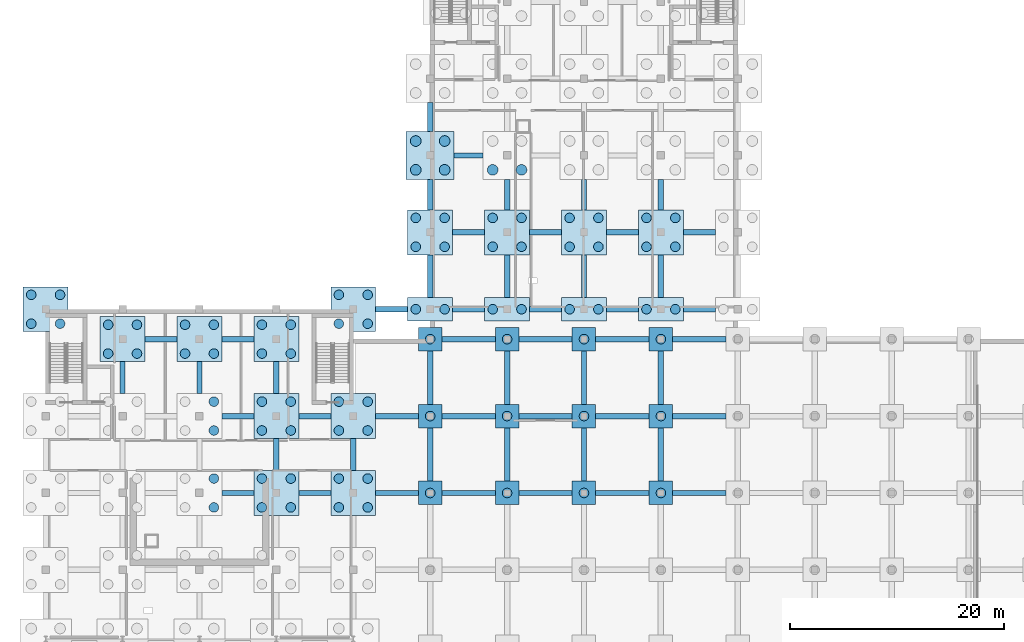
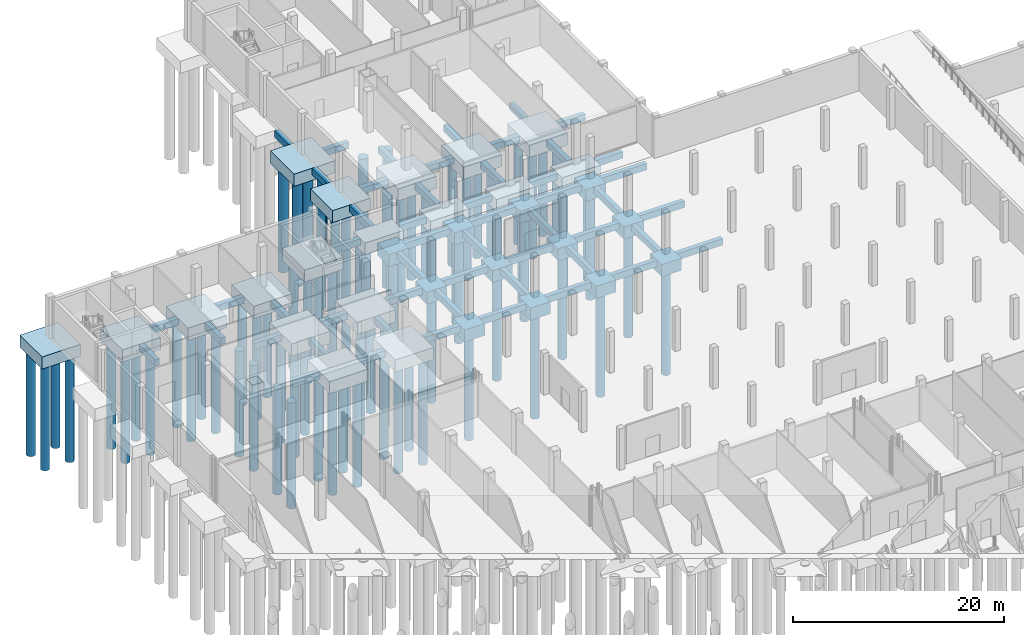
# One storey, part 6 of 35: 82 footings, 82 piles.
"""IFC4 building model written with IfcOpenShell, lengths in metres."""

import ifcopenshell
import ifcopenshell.guid

model = None  # the IFC model being written
_history = None  # IfcOwnerHistory: only IFC2X3 demands one
_inside = {}  # id of a spatial element -> (the spatial element, [elements in it])
_under = {}  # id of a project, library or spatial element -> (it, [spatial elements below it])
_declared = {}  # id of a project -> (the project, [libraries it declares])
_typed = {}  # id of a type object -> (the type object, [elements of that type])
_made_of = {}  # id of a material, layer set ... -> (it, [elements and type objects made of it])


def new_model(schema):
    """Start an empty IFC model of exactly this schema.

    Asked for "IFC4X3", IfcOpenShell would pick the latest addendum, in which some entities
    have other attributes; the version numbers below select the first issue.
    IFC2X3 requires an IfcOwnerHistory on every rooted entity: one is made here for all.
    """
    global model, _history
    if schema == "IFC4X3":
        model = ifcopenshell.file(schema_version=(4, 3, 0, 0))
    else:
        model = ifcopenshell.file(schema=schema)
    _inside.clear()
    _under.clear()
    _declared.clear()
    _typed.clear()
    _made_of.clear()
    _history = None
    if model.schema == "IFC2X3":
        org = make("IfcOrganization", Name="unknown")
        user = make(
            "IfcPersonAndOrganization",
            ThePerson=make("IfcPerson", FamilyName="unknown"),
            TheOrganization=org,
        )
        app = make(
            "IfcApplication",
            ApplicationDeveloper=org,
            Version="unknown",
            ApplicationFullName="unknown",
            ApplicationIdentifier="unknown",
        )
        _history = make(
            "IfcOwnerHistory",
            OwningUser=user,
            OwningApplication=app,
            ChangeAction="ADDED",
            CreationDate=0,
        )
    return model


def make(cls, **values):
    """One entity of the class cls with the attributes given. An attribute that is None is left unset."""
    return model.create_entity(
        cls, **{name: value for name, value in values.items() if value is not None}
    )


def rooted(cls, **values):
    """An entity with a GlobalId (a new one), such as an element, a storey or a relation."""
    return make(cls, GlobalId=ifcopenshell.guid.new(), OwnerHistory=_history, **values)


def si_unit(unit_type, name, prefix=None):
    """IfcSIUnit, for example si_unit("LENGTHUNIT", "METRE", prefix="MILLI")."""
    return make("IfcSIUnit", UnitType=unit_type, Prefix=prefix, Name=name)


def assignment(units):
    """IfcUnitAssignment: the units of a project."""
    return None if units is None else make("IfcUnitAssignment", Units=units)


def point(xyz):
    """IfcCartesianPoint."""
    return None if xyz is None else make("IfcCartesianPoint", Coordinates=xyz)


def direction(xyz):
    """IfcDirection."""
    return None if xyz is None else make("IfcDirection", DirectionRatios=xyz)


def frame(location, z_axis=None, x_axis=None):
    """IfcAxis2Placement3D, a coordinate frame: its origin and axes. An axis left out is left unset."""
    return make(
        "IfcAxis2Placement3D",
        Location=point(location),
        Axis=direction(z_axis),
        RefDirection=direction(x_axis),
    )


def frame_2d(location, x_axis=None):
    """IfcAxis2Placement2D, a coordinate frame in the plane: its origin and x axis."""
    return make(
        "IfcAxis2Placement2D", Location=point(location), RefDirection=direction(x_axis)
    )


def origin():
    """The frame at (0, 0, 0) with its axes left unset."""
    return frame((0.0, 0.0, 0.0))


def origin_2d():
    """The frame at (0, 0) in the plane with its x axis left unset."""
    return frame_2d((0.0, 0.0))


def place(relative_to, where):
    """IfcLocalPlacement: puts the frame where relative to a parent placement (None: the world)."""
    return make(
        "IfcLocalPlacement", PlacementRelTo=relative_to, RelativePlacement=where
    )


def context(
    kind, dimensions, precision=None, world=None, true_north=None, identifier=None
):
    """IfcGeometricRepresentationContext, for example the 3D "Model" context."""
    return make(
        "IfcGeometricRepresentationContext",
        ContextIdentifier=identifier,
        ContextType=kind,
        CoordinateSpaceDimension=dimensions,
        Precision=precision,
        WorldCoordinateSystem=world,
        TrueNorth=true_north,
    )


def subcontext(parent, identifier, kind, view, scale=None):
    """IfcGeometricRepresentationSubContext, for example "Body" below "Model"."""
    return make(
        "IfcGeometricRepresentationSubContext",
        ContextIdentifier=identifier,
        ContextType=kind,
        ParentContext=parent,
        TargetScale=scale,
        TargetView=view,
    )


def project(units=None, contexts=None):
    """IfcProject with its units and contexts."""
    return rooted(
        "IfcProject",
        Name="project",
        RepresentationContexts=contexts,
        UnitsInContext=assignment(units),
    )


def spatial(cls, under=None, at=None, **own):
    """A site, building, storey or space (cls), placed at a placement, below another one or the project."""
    s = rooted(cls, ObjectPlacement=at, **own)
    if under is not None:
        _under.setdefault(under.id(), (under, []))[1].append(s)
    return s


def profile(cls, at=None, kind="AREA", **sizes):
    """A parametric profile (cls). Its sizes go by their IFC names, for example OverallWidth=200.0."""
    return make(cls, ProfileType=kind, Position=at, **sizes)


def rectangle(**sizes):
    """IfcRectangleProfileDef."""
    return profile("IfcRectangleProfileDef", **sizes)


def circle(**sizes):
    """IfcCircleProfileDef."""
    return profile("IfcCircleProfileDef", **sizes)


def extrude(swept, where, along, depth):
    """IfcExtrudedAreaSolid: the profile swept, set in the frame where, extruded along a direction by depth."""
    return make(
        "IfcExtrudedAreaSolid",
        SweptArea=swept,
        Position=where,
        ExtrudedDirection=direction(along),
        Depth=depth,
    )


def shape(context_of_items, identifier, shape_type, items):
    """IfcShapeRepresentation: the items that make up one representation, for example the "Body"."""
    return make(
        "IfcShapeRepresentation",
        ContextOfItems=context_of_items,
        RepresentationIdentifier=identifier,
        RepresentationType=shape_type,
        Items=items,
    )


def material(Name=None, Category=None):
    """IfcMaterial."""
    return make("IfcMaterial", Name=Name, Category=Category)


def material_profile(
    of_material, cross_section, Name=None, Category=None, Priority=None
):
    """IfcMaterialProfile: a cross section and its material."""
    return make(
        "IfcMaterialProfile",
        Name=Name,
        Material=of_material,
        Profile=cross_section,
        Priority=Priority,
        Category=Category,
    )


def profile_set(profiles, Name=None, composite=None):
    """IfcMaterialProfileSet."""
    return make(
        "IfcMaterialProfileSet",
        Name=Name,
        MaterialProfiles=profiles,
        CompositeProfile=composite,
    )


def made_of(thing, what):
    """Note that an element or type object is made of a material, layer set ...; save() writes the relation."""
    if what is not None:
        _made_of.setdefault(what.id(), (what, []))[1].append(thing)
    return thing


def type_object(cls, material=None, **own):
    """A type object (cls), such as IfcWallType, which elements share."""
    return made_of(rooted(cls, **own), material)


def element(
    cls,
    number,
    at=None,
    inside=None,
    cuts=None,
    type_object=None,
    material=None,
    context=None,
    identifier="Body",
    shape_type=None,
    held_by="IfcProductDefinitionShape",
    body=None,
    shapes=None,
    **own,
):
    """One element of the class cls, such as IfcWall. Its Tag is "e" and its number.

    at: its placement. inside: the storey or other place that contains it. cuts: it is an
    opening in that element (IfcRelVoidsElement). A single representation is given by context,
    identifier, shape_type and body (its items); several are given by shapes. held_by: the class
    of the entity that holds the representations. save() writes the other relations.
    """
    e = rooted(cls, Tag="e%d" % number, ObjectPlacement=at, **own)
    if body is not None:
        shapes = [shape(context, identifier, shape_type, body)]
    if shapes is not None:
        e.Representation = make(held_by, Representations=shapes)
    if inside is not None:
        _inside.setdefault(inside.id(), (inside, []))[1].append(e)
    if cuts is not None:
        rooted(
            "IfcRelVoidsElement", RelatingBuildingElement=cuts, RelatedOpeningElement=e
        )
    if type_object is not None:
        _typed.setdefault(type_object.id(), (type_object, []))[1].append(e)
    return made_of(e, material)


def aggregate(whole, parts):
    """IfcRelAggregates: a whole, such as a stair, and the parts it consists of."""
    return rooted("IfcRelAggregates", RelatingObject=whole, RelatedObjects=parts)


def save(model, path):
    """Write the relations noted so far, then the file.

    IfcRelAggregates (storeys below a building ...), IfcRelContainedInSpatialStructure (elements
    in a storey), IfcRelDefinesByType, IfcRelAssociatesMaterial and IfcRelDeclares: one each for
    every whole, place, type object, material and project.
    """
    for whole, parts in _under.values():
        aggregate(whole, parts)
    for where, things in _inside.values():
        rooted(
            "IfcRelContainedInSpatialStructure",
            RelatedElements=things,
            RelatingStructure=where,
        )
    for kind, things in _typed.values():
        rooted("IfcRelDefinesByType", RelatedObjects=things, RelatingType=kind)
    for what, things in _made_of.values():
        rooted("IfcRelAssociatesMaterial", RelatedObjects=things, RelatingMaterial=what)
    for by, libraries in _declared.values():
        rooted("IfcRelDeclares", RelatingContext=by, RelatedDefinitions=libraries)
    model.write(path)


model = new_model("IFC4")

# Units and contexts
model_context = context("Model", 3, precision=1e-05, world=origin(), true_north=direction((0.0, 1.0)))
body_context = subcontext(model_context, "Body", "Model", "MODEL_VIEW")
ifc_project = project(units=[si_unit("LENGTHUNIT", "METRE"), si_unit("AREAUNIT", "SQUARE_METRE"), si_unit("VOLUMEUNIT", "CUBIC_METRE"), si_unit("PLANEANGLEUNIT", "RADIAN"), si_unit("MASSUNIT", "GRAM", prefix="KILO")], contexts=[model_context])

# Site, building, storey
site_placement = place(None, origin())
site = spatial("IfcSite", under=ifc_project, at=site_placement, CompositionType="ELEMENT")
building_placement = place(site_placement, origin())
building = spatial("IfcBuilding", under=site, at=building_placement, Name="Zarrinpeak Specialist Clinic", CompositionType="ELEMENT")
storey_placement = place(building_placement, frame((0.0, 0.0, -4.800048828125)))
storey = spatial("IfcBuildingStorey", under=building, at=storey_placement, Name="B01", CompositionType="ELEMENT", Elevation=-4.800048828125)

# Footings
ifc_material = material(Name="Concrete C40/50", Category="concrete")
ifc_material_profile_1 = material_profile(ifc_material, rectangle(XDim=0.5, YDim=0.75, at=origin_2d()), Name="RC 500x750")
ifc_profile_set_1 = profile_set([ifc_material_profile_1], Name="Concrete C40/50")
footing_type_1 = type_object("IfcFootingType", Name="FT-GB1", PredefinedType="FOOTING_BEAM", material=ifc_profile_set_1)
for number, where, z_axis, x_axis, name in (
    (1, (16.5, 64.800048828125, -0.77490234375), (1.0, 0.0, 0.0), (0.0, 1.0, 0.0), "Continuous Ground Tie Beam GB-144"),
    (2, (23.699951171875, 64.800048828125, -0.77490234375), (1.0, 0.0, 0.0), (0.0, 1.0, 0.0), "Continuous Ground Tie Beam GB-145"),
):
    element("IfcFooting", number, at=place(storey_placement, frame(where, z_axis=z_axis, x_axis=x_axis)), inside=storey, type_object=footing_type_1, Name=name, PredefinedType="FOOTING_BEAM", context=body_context, shape_type="SweptSolid", body=[
        extrude(rectangle(XDim=0.5, YDim=0.75, at=origin_2d()), origin(), (0.0, 0.0, 1.0), 3.0),
    ])
footing_1_placement = place(storey_placement, frame((30.89990234375, 64.800048828125, -0.77490234375), z_axis=(1.0, 0.0, 0.0), x_axis=(0.0, 1.0, 0.0)))
element("IfcFooting", 3, at=footing_1_placement, inside=storey, type_object=footing_type_1, Name="Continuous Ground Tie Beam GB-146", PredefinedType="FOOTING_BEAM", context=body_context, shape_type="SweptSolid", body=[
    extrude(rectangle(XDim=0.5, YDim=0.75, at=origin_2d()), origin(), (0.0, 0.0, 1.0), 4.0),
])
for number, where, z_axis, x_axis, name in (
    (4, (37.10009765625, 64.800048828125, -0.77490234375), (1.0, 0.0, 0.0), (0.0, 1.0, 0.0), "Continuous Ground Tie Beam GB-147"),
    (5, (44.300048828125, 64.800048828125, -0.77490234375), (1.0, 0.0, 0.0), (0.0, 1.0, 0.0), "Continuous Ground Tie Beam GB-148"),
    (6, (51.5, 64.800048828125, -0.77490234375), (1.0, 0.0, 0.0), (0.0, 1.0, 0.0), "Continuous Ground Tie Beam GB-149"),
    (7, (58.699951171875, 64.800048828125, -0.77490234375), (1.0, 0.0, 0.0), (0.0, 1.0, 0.0), "Continuous Ground Tie Beam GB-150"),
):
    element("IfcFooting", number, at=place(storey_placement, frame(where, z_axis=z_axis, x_axis=x_axis)), inside=storey, type_object=footing_type_1, Name=name, PredefinedType="FOOTING_BEAM", context=body_context, shape_type="SweptSolid", body=[
        extrude(rectangle(XDim=0.5, YDim=0.75, at=origin_2d()), origin(), (0.0, 0.0, 1.0), 5.0),
    ])
for number, where, z_axis, x_axis, name in (
    (8, (16.5, 72.0, -0.77490234375), (1.0, 0.0, 0.0), (0.0, 1.0, 0.0), "Continuous Ground Tie Beam GB-161"),
    (9, (23.699951171875, 72.0, -0.77490234375), (1.0, 0.0, 0.0), (0.0, 1.0, 0.0), "Continuous Ground Tie Beam GB-162"),
):
    element("IfcFooting", number, at=place(storey_placement, frame(where, z_axis=z_axis, x_axis=x_axis)), inside=storey, type_object=footing_type_1, Name=name, PredefinedType="FOOTING_BEAM", context=body_context, shape_type="SweptSolid", body=[
        extrude(rectangle(XDim=0.5, YDim=0.75, at=origin_2d()), origin(), (0.0, 0.0, 1.0), 3.0),
    ])
footing_2_placement = place(storey_placement, frame((30.89990234375, 72.0, -0.77490234375), z_axis=(1.0, 0.0, 0.0), x_axis=(0.0, 1.0, 0.0)))
element("IfcFooting", 10, at=footing_2_placement, inside=storey, type_object=footing_type_1, Name="Continuous Ground Tie Beam GB-163", PredefinedType="FOOTING_BEAM", context=body_context, shape_type="SweptSolid", body=[
    extrude(rectangle(XDim=0.5, YDim=0.75, at=origin_2d()), origin(), (0.0, 0.0, 1.0), 4.0),
])
for number, where, z_axis, x_axis, name in (
    (11, (37.10009765625, 72.0, -0.77490234375), (1.0, 0.0, 0.0), (0.0, 1.0, 0.0), "Continuous Ground Tie Beam GB-164"),
    (12, (44.300048828125, 72.0, -0.77490234375), (1.0, 0.0, 0.0), (0.0, 1.0, 0.0), "Continuous Ground Tie Beam GB-165"),
    (13, (51.5, 72.0, -0.77490234375), (1.0, 0.0, 0.0), (0.0, 1.0, 0.0), "Continuous Ground Tie Beam GB-166"),
    (14, (58.699951171875, 72.0, -0.77490234375), (1.0, 0.0, 0.0), (0.0, 1.0, 0.0), "Continuous Ground Tie Beam GB-167"),
):
    element("IfcFooting", number, at=place(storey_placement, frame(where, z_axis=z_axis, x_axis=x_axis)), inside=storey, type_object=footing_type_1, Name=name, PredefinedType="FOOTING_BEAM", context=body_context, shape_type="SweptSolid", body=[
        extrude(rectangle(XDim=0.5, YDim=0.75, at=origin_2d()), origin(), (0.0, 0.0, 1.0), 5.0),
    ])
for number, where, z_axis, x_axis, name in (
    (15, (9.300048828125, 79.199951171875, -0.77490234375), (1.0, 0.0, 0.0), (0.0, 1.0, 0.0), "Continuous Ground Tie Beam GB-176"),
    (16, (16.5, 79.199951171875, -0.77490234375), (1.0, 0.0, 0.0), (0.0, 1.0, 0.0), "Continuous Ground Tie Beam GB-177"),
):
    element("IfcFooting", number, at=place(storey_placement, frame(where, z_axis=z_axis, x_axis=x_axis)), inside=storey, type_object=footing_type_1, Name=name, PredefinedType="FOOTING_BEAM", context=body_context, shape_type="SweptSolid", body=[
        extrude(rectangle(XDim=0.5, YDim=0.75, at=origin_2d()), origin(), (0.0, 0.0, 1.0), 3.0),
    ])
for number, where, z_axis, x_axis, name in (
    (17, (37.10009765625, 79.199951171875, -0.77490234375), (1.0, 0.0, 0.0), (0.0, 1.0, 0.0), "Continuous Ground Tie Beam GB-178"),
    (18, (44.300048828125, 79.199951171875, -0.77490234375), (1.0, 0.0, 0.0), (0.0, 1.0, 0.0), "Continuous Ground Tie Beam GB-179"),
    (19, (51.5, 79.199951171875, -0.77490234375), (1.0, 0.0, 0.0), (0.0, 1.0, 0.0), "Continuous Ground Tie Beam GB-180"),
    (20, (58.699951171875, 79.199951171875, -0.77490234375), (1.0, 0.0, 0.0), (0.0, 1.0, 0.0), "Continuous Ground Tie Beam GB-181"),
):
    element("IfcFooting", number, at=place(storey_placement, frame(where, z_axis=z_axis, x_axis=x_axis)), inside=storey, type_object=footing_type_1, Name=name, PredefinedType="FOOTING_BEAM", context=body_context, shape_type="SweptSolid", body=[
        extrude(rectangle(XDim=0.5, YDim=0.75, at=origin_2d()), origin(), (0.0, 0.0, 1.0), 5.0),
    ])
for number, where, z_axis, x_axis, name in (
    (21, (30.89990234375, 82.0, -0.77490234375), (1.0, 0.0, 0.0), (0.0, 1.0, 0.0), "Continuous Ground Tie Beam GB-185"),
    (22, (38.10009765625, 82.0, -0.77490234375), (1.0, 0.0, 0.0), (0.0, 1.0, 0.0), "Continuous Ground Tie Beam GB-186"),
    (23, (45.300048828125, 82.0, -0.77490234375), (1.0, 0.0, 0.0), (0.0, 1.0, 0.0), "Continuous Ground Tie Beam GB-187"),
    (24, (52.5, 82.0, -0.77490234375), (1.0, 0.0, 0.0), (0.0, 1.0, 0.0), "Continuous Ground Tie Beam GB-188"),
    (25, (59.699951171875, 82.0, -0.77490234375), (1.0, 0.0, 0.0), (0.0, 1.0, 0.0), "Continuous Ground Tie Beam GB-189"),
    (26, (38.10009765625, 89.199951171875, -0.77490234375), (1.0, 0.0, 0.0), (0.0, 1.0, 0.0), "Continuous Ground Tie Beam GB-190"),
    (27, (45.300048828125, 89.199951171875, -0.77490234375), (1.0, 0.0, 0.0), (0.0, 1.0, 0.0), "Continuous Ground Tie Beam GB-191"),
    (28, (52.5, 89.199951171875, -0.77490234375), (1.0, 0.0, 0.0), (0.0, 1.0, 0.0), "Continuous Ground Tie Beam GB-192"),
    (29, (59.699951171875, 89.199951171875, -0.77490234375), (1.0, 0.0, 0.0), (0.0, 1.0, 0.0), "Continuous Ground Tie Beam GB-193"),
):
    element("IfcFooting", number, at=place(storey_placement, frame(where, z_axis=z_axis, x_axis=x_axis)), inside=storey, type_object=footing_type_1, Name=name, PredefinedType="FOOTING_BEAM", context=body_context, shape_type="SweptSolid", body=[
        extrude(rectangle(XDim=0.5, YDim=0.75, at=origin_2d()), origin(), (0.0, 0.0, 1.0), 3.0),
    ])
footing_3_placement = place(storey_placement, frame((38.25, 96.39990234375, -0.77490234375), z_axis=(1.0, 0.0, 0.0), x_axis=(0.0, 1.0, 0.0)))
element("IfcFooting", 30, at=footing_3_placement, inside=storey, type_object=footing_type_1, Name="Continuous Ground Tie Beam GB-194", PredefinedType="FOOTING_BEAM", context=body_context, shape_type="SweptSolid", body=[
    extrude(rectangle(XDim=0.5, YDim=0.75, at=origin_2d()), origin(), (0.0, 0.0, 1.0), 2.699951171875),
])
for number, where, z_axis, x_axis, name in (
    (31, (7.199951171875, 74.10009765625, -0.77490234375), (0.0, 1.0, 0.0), (-1.0, 0.0, 0.0), "Continuous Ground Tie Beam GB-225"),
    (32, (14.39990234375, 74.10009765625, -0.77490234375), (0.0, 1.0, 0.0), (-1.0, 0.0, 0.0), "Continuous Ground Tie Beam GB-236"),
    (33, (21.60009765625, 66.89990234375, -0.77490234375), (0.0, 1.0, 0.0), (-1.0, 0.0, 0.0), "Continuous Ground Tie Beam GB-246"),
    (34, (21.60009765625, 74.10009765625, -0.77490234375), (0.0, 1.0, 0.0), (-1.0, 0.0, 0.0), "Continuous Ground Tie Beam GB-247"),
    (35, (28.800048828125, 66.89990234375, -0.77490234375), (0.0, 1.0, 0.0), (-1.0, 0.0, 0.0), "Continuous Ground Tie Beam GB-252"),
):
    element("IfcFooting", number, at=place(storey_placement, frame(where, z_axis=z_axis, x_axis=x_axis)), inside=storey, type_object=footing_type_1, Name=name, PredefinedType="FOOTING_BEAM", context=body_context, shape_type="SweptSolid", body=[
        extrude(rectangle(XDim=0.5, YDim=0.75, at=origin_2d()), origin(), (0.0, 0.0, 1.0), 3.0),
    ])
for number, where, z_axis, x_axis, name in (
    (36, (36.0, 65.89990234375, -0.77490234375), (0.0, 1.0, 0.0), (-1.0, 0.0, 0.0), "Continuous Ground Tie Beam GB-263"),
    (37, (36.0, 73.10009765625, -0.77490234375), (0.0, 1.0, 0.0), (-1.0, 0.0, 0.0), "Continuous Ground Tie Beam GB-264"),
):
    element("IfcFooting", number, at=place(storey_placement, frame(where, z_axis=z_axis, x_axis=x_axis)), inside=storey, type_object=footing_type_1, Name=name, PredefinedType="FOOTING_BEAM", context=body_context, shape_type="SweptSolid", body=[
        extrude(rectangle(XDim=0.5, YDim=0.75, at=origin_2d()), origin(), (0.0, 0.0, 1.0), 5.0),
    ])
footing_4_placement = place(storey_placement, frame((36.0, 83.10009765625, -0.77490234375), z_axis=(0.0, 1.0, 0.0), x_axis=(-1.0, 0.0, 0.0)))
element("IfcFooting", 38, at=footing_4_placement, inside=storey, type_object=footing_type_1, Name="Continuous Ground Tie Beam GB-265", PredefinedType="FOOTING_BEAM", context=body_context, shape_type="SweptSolid", body=[
    extrude(rectangle(XDim=0.5, YDim=0.75, at=origin_2d()), origin(), (0.0, 0.0, 1.0), 4.0),
])
footing_5_placement = place(storey_placement, frame((36.0, 91.300048828125, -0.77490234375), z_axis=(0.0, 1.0, 0.0), x_axis=(-1.0, 0.0, 0.0)))
element("IfcFooting", 39, at=footing_5_placement, inside=storey, type_object=footing_type_1, Name="Continuous Ground Tie Beam GB-266", PredefinedType="FOOTING_BEAM", context=body_context, shape_type="SweptSolid", body=[
    extrude(rectangle(XDim=0.5, YDim=0.75, at=origin_2d()), origin(), (0.0, 0.0, 1.0), 2.849853515625),
])
footing_6_placement = place(storey_placement, frame((36.0, 98.64990234375, -0.77490234375), z_axis=(0.0, 1.0, 0.0), x_axis=(-1.0, 0.0, 0.0)))
element("IfcFooting", 40, at=footing_6_placement, inside=storey, type_object=footing_type_1, Name="Continuous Ground Tie Beam GB-267", PredefinedType="FOOTING_BEAM", context=body_context, shape_type="SweptSolid", body=[
    extrude(rectangle(XDim=0.5, YDim=0.75, at=origin_2d()), origin(), (0.0, 0.0, 1.0), 2.7001953125),
])
for number, where, z_axis, x_axis, name in (
    (41, (43.199951171875, 65.89990234375, -0.77490234375), (0.0, 1.0, 0.0), (-1.0, 0.0, 0.0), "Continuous Ground Tie Beam GB-277"),
    (42, (43.199951171875, 73.10009765625, -0.77490234375), (0.0, 1.0, 0.0), (-1.0, 0.0, 0.0), "Continuous Ground Tie Beam GB-278"),
):
    element("IfcFooting", number, at=place(storey_placement, frame(where, z_axis=z_axis, x_axis=x_axis)), inside=storey, type_object=footing_type_1, Name=name, PredefinedType="FOOTING_BEAM", context=body_context, shape_type="SweptSolid", body=[
        extrude(rectangle(XDim=0.5, YDim=0.75, at=origin_2d()), origin(), (0.0, 0.0, 1.0), 5.0),
    ])
footing_7_placement = place(storey_placement, frame((43.199951171875, 83.10009765625, -0.77490234375), z_axis=(0.0, 1.0, 0.0), x_axis=(-1.0, 0.0, 0.0)))
element("IfcFooting", 43, at=footing_7_placement, inside=storey, type_object=footing_type_1, Name="Continuous Ground Tie Beam GB-279", PredefinedType="FOOTING_BEAM", context=body_context, shape_type="SweptSolid", body=[
    extrude(rectangle(XDim=0.5, YDim=0.75, at=origin_2d()), origin(), (0.0, 0.0, 1.0), 4.0),
])
footing_8_placement = place(storey_placement, frame((43.199951171875, 91.300048828125, -0.77490234375), z_axis=(0.0, 1.0, 0.0), x_axis=(-1.0, 0.0, 0.0)))
element("IfcFooting", 44, at=footing_8_placement, inside=storey, type_object=footing_type_1, Name="Continuous Ground Tie Beam GB-280", PredefinedType="FOOTING_BEAM", context=body_context, shape_type="SweptSolid", body=[
    extrude(rectangle(XDim=0.5, YDim=0.75, at=origin_2d()), origin(), (0.0, 0.0, 1.0), 2.849853515625),
])
for number, where, z_axis, x_axis, name in (
    (45, (50.39990234375, 65.89990234375, -0.77490234375), (0.0, 1.0, 0.0), (-1.0, 0.0, 0.0), "Continuous Ground Tie Beam GB-293"),
    (46, (50.39990234375, 73.10009765625, -0.77490234375), (0.0, 1.0, 0.0), (-1.0, 0.0, 0.0), "Continuous Ground Tie Beam GB-294"),
):
    element("IfcFooting", number, at=place(storey_placement, frame(where, z_axis=z_axis, x_axis=x_axis)), inside=storey, type_object=footing_type_1, Name=name, PredefinedType="FOOTING_BEAM", context=body_context, shape_type="SweptSolid", body=[
        extrude(rectangle(XDim=0.5, YDim=0.75, at=origin_2d()), origin(), (0.0, 0.0, 1.0), 5.0),
    ])
footing_9_placement = place(storey_placement, frame((50.39990234375, 83.10009765625, -0.77490234375), z_axis=(0.0, 1.0, 0.0), x_axis=(-1.0, 0.0, 0.0)))
element("IfcFooting", 47, at=footing_9_placement, inside=storey, type_object=footing_type_1, Name="Continuous Ground Tie Beam GB-295", PredefinedType="FOOTING_BEAM", context=body_context, shape_type="SweptSolid", body=[
    extrude(rectangle(XDim=0.5, YDim=0.75, at=origin_2d()), origin(), (0.0, 0.0, 1.0), 4.0),
])
footing_10_placement = place(storey_placement, frame((50.39990234375, 91.300048828125, -0.77490234375), z_axis=(0.0, 1.0, 0.0), x_axis=(-1.0, 0.0, 0.0)))
element("IfcFooting", 48, at=footing_10_placement, inside=storey, type_object=footing_type_1, Name="Continuous Ground Tie Beam GB-296", PredefinedType="FOOTING_BEAM", context=body_context, shape_type="SweptSolid", body=[
    extrude(rectangle(XDim=0.5, YDim=0.75, at=origin_2d()), origin(), (0.0, 0.0, 1.0), 2.849853515625),
])
for number, where, z_axis, x_axis, name in (
    (49, (57.60009765625, 65.89990234375, -0.77490234375), (0.0, 1.0, 0.0), (-1.0, 0.0, 0.0), "Continuous Ground Tie Beam GB-304"),
    (50, (57.60009765625, 73.10009765625, -0.77490234375), (0.0, 1.0, 0.0), (-1.0, 0.0, 0.0), "Continuous Ground Tie Beam GB-305"),
):
    element("IfcFooting", number, at=place(storey_placement, frame(where, z_axis=z_axis, x_axis=x_axis)), inside=storey, type_object=footing_type_1, Name=name, PredefinedType="FOOTING_BEAM", context=body_context, shape_type="SweptSolid", body=[
        extrude(rectangle(XDim=0.5, YDim=0.75, at=origin_2d()), origin(), (0.0, 0.0, 1.0), 5.0),
    ])
footing_11_placement = place(storey_placement, frame((57.60009765625, 83.10009765625, -0.77490234375), z_axis=(0.0, 1.0, 0.0), x_axis=(-1.0, 0.0, 0.0)))
element("IfcFooting", 51, at=footing_11_placement, inside=storey, type_object=footing_type_1, Name="Continuous Ground Tie Beam GB-306", PredefinedType="FOOTING_BEAM", context=body_context, shape_type="SweptSolid", body=[
    extrude(rectangle(XDim=0.5, YDim=0.75, at=origin_2d()), origin(), (0.0, 0.0, 1.0), 4.0),
])
footing_12_placement = place(storey_placement, frame((57.60009765625, 91.300048828125, -0.77490234375), z_axis=(0.0, 1.0, 0.0), x_axis=(-1.0, 0.0, 0.0)))
element("IfcFooting", 52, at=footing_12_placement, inside=storey, type_object=footing_type_1, Name="Continuous Ground Tie Beam GB-307", PredefinedType="FOOTING_BEAM", context=body_context, shape_type="SweptSolid", body=[
    extrude(rectangle(XDim=0.5, YDim=0.75, at=origin_2d()), origin(), (0.0, 0.0, 1.0), 2.849853515625),
])
footing_type_2 = type_object("IfcFootingType", Name="FT-PC1", PredefinedType="PILE_CAP", material=ifc_material)
for number, where, z_axis, x_axis, name in (
    (53, (36.0, 64.800048828125, -1.7998046875), (0.0, 0.0, 1.0), (1.0, 0.0, 0.0), "Combined Pile Cap CAP-067 (B01-C1)"),
    (54, (36.0, 72.0, -1.7998046875), (0.0, 0.0, 1.0), (1.0, 0.0, 0.0), "Combined Pile Cap CAP-068 (B01-C1)"),
    (55, (36.0, 79.199951171875, -1.7998046875), (0.0, 0.0, 1.0), (1.0, 0.0, 0.0), "Combined Pile Cap CAP-069 (B01-C1)"),
    (56, (43.199951171875, 64.800048828125, -1.7998046875), (0.0, 0.0, 1.0), (1.0, 0.0, 0.0), "Combined Pile Cap CAP-084 (B01-C1)"),
    (57, (43.199951171875, 72.0, -1.7998046875), (0.0, 0.0, 1.0), (1.0, 0.0, 0.0), "Combined Pile Cap CAP-085 (B01-C1)"),
    (58, (43.199951171875, 79.199951171875, -1.7998046875), (0.0, 0.0, 1.0), (1.0, 0.0, 0.0), "Combined Pile Cap CAP-086 (B01-C1)"),
    (59, (50.39990234375, 64.800048828125, -1.7998046875), (0.0, 0.0, 1.0), (1.0, 0.0, 0.0), "Combined Pile Cap CAP-102 (B01-C1)"),
    (60, (50.39990234375, 72.0, -1.7998046875), (0.0, 0.0, 1.0), (1.0, 0.0, 0.0), "Combined Pile Cap CAP-103 (B01-C1)"),
    (61, (50.39990234375, 79.199951171875, -1.7998046875), (0.0, 0.0, 1.0), (1.0, 0.0, 0.0), "Combined Pile Cap CAP-104 (B01-C1)"),
    (62, (57.60009765625, 64.800048828125, -1.7998046875), (0.0, 0.0, 1.0), (1.0, 0.0, 0.0), "Combined Pile Cap CAP-119 (B01-C1)"),
    (63, (57.60009765625, 72.0, -1.7998046875), (0.0, 0.0, 1.0), (1.0, 0.0, 0.0), "Combined Pile Cap CAP-120 (B01-C1)"),
    (64, (57.60009765625, 79.199951171875, -1.7998046875), (0.0, 0.0, 1.0), (1.0, 0.0, 0.0), "Combined Pile Cap CAP-121 (B01-C1)"),
):
    element("IfcFooting", number, at=place(storey_placement, frame(where, z_axis=z_axis, x_axis=x_axis)), inside=storey, type_object=footing_type_2, Name=name, PredefinedType="PILE_CAP", context=body_context, shape_type="SweptSolid", body=[
        extrude(rectangle(XDim=2.199951171875, YDim=2.199951171875, at=origin_2d()), origin(), (0.0, 0.0, 1.0), 1.39990234375),
    ])
footing_type_3 = type_object("IfcFootingType", Name="FT-PC2", PredefinedType="PILE_CAP", material=ifc_material)
for number, where, z_axis, x_axis, name in (
    (65, (36.0, 82.0, -1.7998046875), (0.0, 0.0, 1.0), (1.0, 0.0, 0.0), "Combined Pile Cap CAP-070 (V6)"),
    (66, (43.199951171875, 82.0, -1.7998046875), (0.0, 0.0, 1.0), (1.0, 0.0, 0.0), "Combined Pile Cap CAP-087 (V6)"),
    (67, (50.39990234375, 82.0, -1.7998046875), (0.0, 0.0, 1.0), (1.0, 0.0, 0.0), "Combined Pile Cap CAP-105 (V6)"),
    (68, (57.60009765625, 82.0, -1.7998046875), (0.0, 0.0, 1.0), (1.0, 0.0, 0.0), "Combined Pile Cap CAP-122 (V6)"),
):
    element("IfcFooting", number, at=place(storey_placement, frame(where, z_axis=z_axis, x_axis=x_axis)), inside=storey, type_object=footing_type_3, Name=name, PredefinedType="PILE_CAP", context=body_context, shape_type="SweptSolid", body=[
        extrude(rectangle(XDim=4.199951171875, YDim=2.199951171875, at=origin_2d()), origin(), (0.0, 0.0, 1.0), 1.39990234375),
    ])
footing_type_4 = type_object("IfcFootingType", Name="FT-PC3", PredefinedType="PILE_CAP", material=ifc_material)
for number, where, z_axis, x_axis, name in (
    (69, (0.0, 82.0, -1.7998046875), (0.0, 0.0, 1.0), (1.0, 0.0, 0.0), "Combined Pile Cap CAP-010 (V5)"),
    (70, (7.199951171875, 79.199951171875, -1.7998046875), (0.0, 0.0, 1.0), (1.0, 0.0, 0.0), "Combined Pile Cap CAP-022 (V5)"),
    (71, (14.39990234375, 79.199951171875, -1.7998046875), (0.0, 0.0, 1.0), (1.0, 0.0, 0.0), "Combined Pile Cap CAP-034 (V5)"),
    (72, (21.60009765625, 64.800048828125, -1.7998046875), (0.0, 0.0, 1.0), (1.0, 0.0, 0.0), "Combined Pile Cap CAP-044 (V5)"),
    (73, (21.60009765625, 72.0, -1.7998046875), (0.0, 0.0, 1.0), (1.0, 0.0, 0.0), "Combined Pile Cap CAP-045 (V5)"),
    (74, (21.60009765625, 79.199951171875, -1.7998046875), (0.0, 0.0, 1.0), (1.0, 0.0, 0.0), "Combined Pile Cap CAP-046 (V5)"),
    (75, (28.800048828125, 64.800048828125, -1.7998046875), (0.0, 0.0, 1.0), (1.0, 0.0, 0.0), "Combined Pile Cap CAP-054 (V5)"),
    (76, (28.800048828125, 72.0, -1.7998046875), (0.0, 0.0, 1.0), (1.0, 0.0, 0.0), "Combined Pile Cap CAP-055 (V5)"),
    (77, (28.800048828125, 82.0, -1.7998046875), (0.0, 0.0, 1.0), (1.0, 0.0, 0.0), "Combined Pile Cap CAP-056 (V5)"),
    (78, (36.0, 89.199951171875, -1.7998046875), (0.0, 0.0, 1.0), (1.0, 0.0, 0.0), "Combined Pile Cap CAP-071 (V6)"),
    (79, (43.199951171875, 89.199951171875, -1.7998046875), (0.0, 0.0, 1.0), (1.0, 0.0, 0.0), "Combined Pile Cap CAP-088 (V6)"),
    (80, (50.39990234375, 89.199951171875, -1.7998046875), (0.0, 0.0, 1.0), (1.0, 0.0, 0.0), "Combined Pile Cap CAP-106 (V6)"),
    (81, (57.60009765625, 89.199951171875, -1.7998046875), (0.0, 0.0, 1.0), (1.0, 0.0, 0.0), "Combined Pile Cap CAP-123 (V6)"),
):
    element("IfcFooting", number, at=place(storey_placement, frame(where, z_axis=z_axis, x_axis=x_axis)), inside=storey, type_object=footing_type_4, Name=name, PredefinedType="PILE_CAP", context=body_context, shape_type="SweptSolid", body=[
        extrude(rectangle(XDim=4.199951171875, YDim=4.199951171875, at=origin_2d()), origin(), (0.0, 0.0, 1.0), 1.39990234375),
    ])
footing_type_5 = type_object("IfcFootingType", Name="FT-PC4", PredefinedType="PILE_CAP", material=ifc_material)
footing_13_placement = place(storey_placement, frame((36.0, 96.39990234375, -1.7998046875), z_axis=(0.0, 0.0, 1.0), x_axis=(1.0, 0.0, 0.0)))
element("IfcFooting", 82, at=footing_13_placement, inside=storey, type_object=footing_type_5, Name="Combined Pile Cap CAP-072 (V6)", PredefinedType="PILE_CAP", context=body_context, shape_type="SweptSolid", body=[
    extrude(rectangle(XDim=4.5, YDim=4.5, at=origin_2d()), origin(), (0.0, 0.0, 1.0), 1.39990234375),
])

# Piles
ifc_material_profile_2 = material_profile(ifc_material, circle(Radius=0.5, at=origin_2d()), Name="BORED PILE D1000")
ifc_profile_set_2 = profile_set([ifc_material_profile_2], Name="Concrete C40/50")
pile_type_1 = type_object("IfcPileType", Name="PL-D1000", PredefinedType="BORED", material=ifc_profile_set_2)
for number, where, z_axis, x_axis, name in (
    (83, (34.64990234375, 95.050048828125, -1.699951171875), (0.0, 0.0, -1.0), (1.0, 0.0, 0.0), "Bored Foundation Pile FP-072-1"),
    (84, (37.35009765625, 95.050048828125, -1.699951171875), (0.0, 0.0, -1.0), (1.0, 0.0, 0.0), "Bored Foundation Pile FP-072-2"),
    (85, (34.64990234375, 97.75, -1.699951171875), (0.0, 0.0, -1.0), (1.0, 0.0, 0.0), "Bored Foundation Pile FP-072-3"),
    (86, (37.35009765625, 97.75, -1.699951171875), (0.0, 0.0, -1.0), (1.0, 0.0, 0.0), "Bored Foundation Pile FP-072-4"),
    (87, (41.85009765625, 95.050048828125, -1.699951171875), (0.0, 0.0, -1.0), (1.0, 0.0, 0.0), "Bored Foundation Pile FP-089-1"),
    (88, (44.550048828125, 95.050048828125, -1.699951171875), (0.0, 0.0, -1.0), (1.0, 0.0, 0.0), "Bored Foundation Pile FP-089-2"),
):
    element("IfcPile", number, at=place(storey_placement, frame(where, z_axis=z_axis, x_axis=x_axis)), inside=storey, type_object=pile_type_1, Name=name, PredefinedType="BORED", context=body_context, shape_type="SweptSolid", body=[
        extrude(circle(Radius=0.5, at=origin_2d()), origin(), (0.0, 0.0, 1.0), 12.300048828125),
    ])
ifc_material_profile_3 = material_profile(ifc_material, circle(Radius=0.449951171875, at=origin_2d()), Name="BORED PILE D900")
ifc_profile_set_3 = profile_set([ifc_material_profile_3], Name="Concrete C40/50")
pile_type_2 = type_object("IfcPileType", Name="PL-D900", PredefinedType="BORED", material=ifc_profile_set_3)
for number, where, z_axis, x_axis, name in (
    (89, (-1.35009765625, 80.64990234375, -1.699951171875), (0.0, 0.0, -1.0), (1.0, 0.0, 0.0), "Bored Foundation Pile FP-010-1"),
    (90, (1.35009765625, 80.64990234375, -1.699951171875), (0.0, 0.0, -1.0), (1.0, 0.0, 0.0), "Bored Foundation Pile FP-010-2"),
    (91, (-1.35009765625, 83.35009765625, -1.699951171875), (0.0, 0.0, -1.0), (1.0, 0.0, 0.0), "Bored Foundation Pile FP-010-3"),
    (92, (1.35009765625, 83.35009765625, -1.699951171875), (0.0, 0.0, -1.0), (1.0, 0.0, 0.0), "Bored Foundation Pile FP-010-4"),
    (93, (5.85009765625, 77.85009765625, -1.699951171875), (0.0, 0.0, -1.0), (1.0, 0.0, 0.0), "Bored Foundation Pile FP-022-1"),
    (94, (8.550048828125, 77.85009765625, -1.699951171875), (0.0, 0.0, -1.0), (1.0, 0.0, 0.0), "Bored Foundation Pile FP-022-2"),
    (95, (5.85009765625, 80.550048828125, -1.699951171875), (0.0, 0.0, -1.0), (1.0, 0.0, 0.0), "Bored Foundation Pile FP-022-3"),
    (96, (8.550048828125, 80.550048828125, -1.699951171875), (0.0, 0.0, -1.0), (1.0, 0.0, 0.0), "Bored Foundation Pile FP-022-4"),
    (97, (15.75, 63.449951171875, -1.699951171875), (0.0, 0.0, -1.0), (1.0, 0.0, 0.0), "Bored Foundation Pile FP-032-2"),
    (98, (15.75, 66.14990234375, -1.699951171875), (0.0, 0.0, -1.0), (1.0, 0.0, 0.0), "Bored Foundation Pile FP-032-4"),
    (99, (15.75, 70.64990234375, -1.699951171875), (0.0, 0.0, -1.0), (1.0, 0.0, 0.0), "Bored Foundation Pile FP-033-2"),
    (100, (15.75, 73.35009765625, -1.699951171875), (0.0, 0.0, -1.0), (1.0, 0.0, 0.0), "Bored Foundation Pile FP-033-4"),
    (101, (13.050048828125, 77.85009765625, -1.699951171875), (0.0, 0.0, -1.0), (1.0, 0.0, 0.0), "Bored Foundation Pile FP-034-1"),
    (102, (15.75, 77.85009765625, -1.699951171875), (0.0, 0.0, -1.0), (1.0, 0.0, 0.0), "Bored Foundation Pile FP-034-2"),
    (103, (13.050048828125, 80.550048828125, -1.699951171875), (0.0, 0.0, -1.0), (1.0, 0.0, 0.0), "Bored Foundation Pile FP-034-3"),
    (104, (15.75, 80.550048828125, -1.699951171875), (0.0, 0.0, -1.0), (1.0, 0.0, 0.0), "Bored Foundation Pile FP-034-4"),
    (105, (20.25, 63.449951171875, -1.699951171875), (0.0, 0.0, -1.0), (1.0, 0.0, 0.0), "Bored Foundation Pile FP-044-1"),
    (106, (22.949951171875, 63.449951171875, -1.699951171875), (0.0, 0.0, -1.0), (1.0, 0.0, 0.0), "Bored Foundation Pile FP-044-2"),
    (107, (20.25, 66.14990234375, -1.699951171875), (0.0, 0.0, -1.0), (1.0, 0.0, 0.0), "Bored Foundation Pile FP-044-3"),
    (108, (22.949951171875, 66.14990234375, -1.699951171875), (0.0, 0.0, -1.0), (1.0, 0.0, 0.0), "Bored Foundation Pile FP-044-4"),
    (109, (20.25, 70.64990234375, -1.699951171875), (0.0, 0.0, -1.0), (1.0, 0.0, 0.0), "Bored Foundation Pile FP-045-1"),
    (110, (22.949951171875, 70.64990234375, -1.699951171875), (0.0, 0.0, -1.0), (1.0, 0.0, 0.0), "Bored Foundation Pile FP-045-2"),
    (111, (20.25, 73.35009765625, -1.699951171875), (0.0, 0.0, -1.0), (1.0, 0.0, 0.0), "Bored Foundation Pile FP-045-3"),
    (112, (22.949951171875, 73.35009765625, -1.699951171875), (0.0, 0.0, -1.0), (1.0, 0.0, 0.0), "Bored Foundation Pile FP-045-4"),
    (113, (20.25, 77.85009765625, -1.699951171875), (0.0, 0.0, -1.0), (1.0, 0.0, 0.0), "Bored Foundation Pile FP-046-1"),
    (114, (22.949951171875, 77.85009765625, -1.699951171875), (0.0, 0.0, -1.0), (1.0, 0.0, 0.0), "Bored Foundation Pile FP-046-2"),
    (115, (20.25, 80.550048828125, -1.699951171875), (0.0, 0.0, -1.0), (1.0, 0.0, 0.0), "Bored Foundation Pile FP-046-3"),
    (116, (22.949951171875, 80.550048828125, -1.699951171875), (0.0, 0.0, -1.0), (1.0, 0.0, 0.0), "Bored Foundation Pile FP-046-4"),
    (117, (27.449951171875, 63.449951171875, -1.699951171875), (0.0, 0.0, -1.0), (1.0, 0.0, 0.0), "Bored Foundation Pile FP-054-1"),
    (118, (30.14990234375, 63.449951171875, -1.699951171875), (0.0, 0.0, -1.0), (1.0, 0.0, 0.0), "Bored Foundation Pile FP-054-2"),
    (119, (27.449951171875, 66.14990234375, -1.699951171875), (0.0, 0.0, -1.0), (1.0, 0.0, 0.0), "Bored Foundation Pile FP-054-3"),
    (120, (30.14990234375, 66.14990234375, -1.699951171875), (0.0, 0.0, -1.0), (1.0, 0.0, 0.0), "Bored Foundation Pile FP-054-4"),
    (121, (27.449951171875, 70.64990234375, -1.699951171875), (0.0, 0.0, -1.0), (1.0, 0.0, 0.0), "Bored Foundation Pile FP-055-1"),
    (122, (30.14990234375, 70.64990234375, -1.699951171875), (0.0, 0.0, -1.0), (1.0, 0.0, 0.0), "Bored Foundation Pile FP-055-2"),
    (123, (27.449951171875, 73.35009765625, -1.699951171875), (0.0, 0.0, -1.0), (1.0, 0.0, 0.0), "Bored Foundation Pile FP-055-3"),
    (124, (30.14990234375, 73.35009765625, -1.699951171875), (0.0, 0.0, -1.0), (1.0, 0.0, 0.0), "Bored Foundation Pile FP-055-4"),
    (125, (27.449951171875, 80.64990234375, -1.699951171875), (0.0, 0.0, -1.0), (1.0, 0.0, 0.0), "Bored Foundation Pile FP-056-1"),
    (126, (30.14990234375, 80.64990234375, -1.699951171875), (0.0, 0.0, -1.0), (1.0, 0.0, 0.0), "Bored Foundation Pile FP-056-2"),
    (127, (27.449951171875, 83.35009765625, -1.699951171875), (0.0, 0.0, -1.0), (1.0, 0.0, 0.0), "Bored Foundation Pile FP-056-3"),
    (128, (30.14990234375, 83.35009765625, -1.699951171875), (0.0, 0.0, -1.0), (1.0, 0.0, 0.0), "Bored Foundation Pile FP-056-4"),
    (129, (36.0, 64.800048828125, -1.699951171875), (0.0, 0.0, -1.0), (1.0, 0.0, 0.0), "Bored Foundation Pile FP-067-1"),
    (130, (36.0, 72.0, -1.699951171875), (0.0, 0.0, -1.0), (1.0, 0.0, 0.0), "Bored Foundation Pile FP-068-1"),
    (131, (36.0, 79.199951171875, -1.699951171875), (0.0, 0.0, -1.0), (1.0, 0.0, 0.0), "Bored Foundation Pile FP-069-1"),
    (132, (34.64990234375, 82.0, -1.699951171875), (0.0, 0.0, -1.0), (1.0, 0.0, 0.0), "Bored Foundation Pile FP-070-1"),
    (133, (37.35009765625, 82.0, -1.699951171875), (0.0, 0.0, -1.0), (1.0, 0.0, 0.0), "Bored Foundation Pile FP-070-2"),
    (134, (34.64990234375, 87.85009765625, -1.699951171875), (0.0, 0.0, -1.0), (1.0, 0.0, 0.0), "Bored Foundation Pile FP-071-1"),
    (135, (37.35009765625, 87.85009765625, -1.699951171875), (0.0, 0.0, -1.0), (1.0, 0.0, 0.0), "Bored Foundation Pile FP-071-2"),
    (136, (34.64990234375, 90.550048828125, -1.699951171875), (0.0, 0.0, -1.0), (1.0, 0.0, 0.0), "Bored Foundation Pile FP-071-3"),
    (137, (37.35009765625, 90.550048828125, -1.699951171875), (0.0, 0.0, -1.0), (1.0, 0.0, 0.0), "Bored Foundation Pile FP-071-4"),
    (138, (43.199951171875, 64.800048828125, -1.699951171875), (0.0, 0.0, -1.0), (1.0, 0.0, 0.0), "Bored Foundation Pile FP-084-1"),
    (139, (43.199951171875, 72.0, -1.699951171875), (0.0, 0.0, -1.0), (1.0, 0.0, 0.0), "Bored Foundation Pile FP-085-1"),
    (140, (43.199951171875, 79.199951171875, -1.699951171875), (0.0, 0.0, -1.0), (1.0, 0.0, 0.0), "Bored Foundation Pile FP-086-1"),
    (141, (41.85009765625, 82.0, -1.699951171875), (0.0, 0.0, -1.0), (1.0, 0.0, 0.0), "Bored Foundation Pile FP-087-1"),
    (142, (44.550048828125, 82.0, -1.699951171875), (0.0, 0.0, -1.0), (1.0, 0.0, 0.0), "Bored Foundation Pile FP-087-2"),
    (143, (41.85009765625, 87.85009765625, -1.699951171875), (0.0, 0.0, -1.0), (1.0, 0.0, 0.0), "Bored Foundation Pile FP-088-1"),
    (144, (44.550048828125, 87.85009765625, -1.699951171875), (0.0, 0.0, -1.0), (1.0, 0.0, 0.0), "Bored Foundation Pile FP-088-2"),
    (145, (41.85009765625, 90.550048828125, -1.699951171875), (0.0, 0.0, -1.0), (1.0, 0.0, 0.0), "Bored Foundation Pile FP-088-3"),
    (146, (44.550048828125, 90.550048828125, -1.699951171875), (0.0, 0.0, -1.0), (1.0, 0.0, 0.0), "Bored Foundation Pile FP-088-4"),
    (147, (50.39990234375, 64.800048828125, -1.699951171875), (0.0, 0.0, -1.0), (1.0, 0.0, 0.0), "Bored Foundation Pile FP-102-1"),
    (148, (50.39990234375, 72.0, -1.699951171875), (0.0, 0.0, -1.0), (1.0, 0.0, 0.0), "Bored Foundation Pile FP-103-1"),
    (149, (50.39990234375, 79.199951171875, -1.699951171875), (0.0, 0.0, -1.0), (1.0, 0.0, 0.0), "Bored Foundation Pile FP-104-1"),
    (150, (49.050048828125, 82.0, -1.699951171875), (0.0, 0.0, -1.0), (1.0, 0.0, 0.0), "Bored Foundation Pile FP-105-1"),
    (151, (51.75, 82.0, -1.699951171875), (0.0, 0.0, -1.0), (1.0, 0.0, 0.0), "Bored Foundation Pile FP-105-2"),
    (152, (49.050048828125, 87.85009765625, -1.699951171875), (0.0, 0.0, -1.0), (1.0, 0.0, 0.0), "Bored Foundation Pile FP-106-1"),
    (153, (51.75, 87.85009765625, -1.699951171875), (0.0, 0.0, -1.0), (1.0, 0.0, 0.0), "Bored Foundation Pile FP-106-2"),
    (154, (49.050048828125, 90.550048828125, -1.699951171875), (0.0, 0.0, -1.0), (1.0, 0.0, 0.0), "Bored Foundation Pile FP-106-3"),
    (155, (51.75, 90.550048828125, -1.699951171875), (0.0, 0.0, -1.0), (1.0, 0.0, 0.0), "Bored Foundation Pile FP-106-4"),
    (156, (57.60009765625, 64.800048828125, -1.699951171875), (0.0, 0.0, -1.0), (1.0, 0.0, 0.0), "Bored Foundation Pile FP-119-1"),
    (157, (57.60009765625, 72.0, -1.699951171875), (0.0, 0.0, -1.0), (1.0, 0.0, 0.0), "Bored Foundation Pile FP-120-1"),
    (158, (57.60009765625, 79.199951171875, -1.699951171875), (0.0, 0.0, -1.0), (1.0, 0.0, 0.0), "Bored Foundation Pile FP-121-1"),
    (159, (56.25, 82.0, -1.699951171875), (0.0, 0.0, -1.0), (1.0, 0.0, 0.0), "Bored Foundation Pile FP-122-1"),
    (160, (58.949951171875, 82.0, -1.699951171875), (0.0, 0.0, -1.0), (1.0, 0.0, 0.0), "Bored Foundation Pile FP-122-2"),
    (161, (56.25, 87.85009765625, -1.699951171875), (0.0, 0.0, -1.0), (1.0, 0.0, 0.0), "Bored Foundation Pile FP-123-1"),
    (162, (58.949951171875, 87.85009765625, -1.699951171875), (0.0, 0.0, -1.0), (1.0, 0.0, 0.0), "Bored Foundation Pile FP-123-2"),
    (163, (56.25, 90.550048828125, -1.699951171875), (0.0, 0.0, -1.0), (1.0, 0.0, 0.0), "Bored Foundation Pile FP-123-3"),
    (164, (58.949951171875, 90.550048828125, -1.699951171875), (0.0, 0.0, -1.0), (1.0, 0.0, 0.0), "Bored Foundation Pile FP-123-4"),
):
    element("IfcPile", number, at=place(storey_placement, frame(where, z_axis=z_axis, x_axis=x_axis)), inside=storey, type_object=pile_type_2, Name=name, PredefinedType="BORED", context=body_context, shape_type="SweptSolid", body=[
        extrude(circle(Radius=0.449951171875, at=origin_2d()), origin(), (0.0, 0.0, 1.0), 12.300048828125),
    ])

save(model, "model.ifc")
